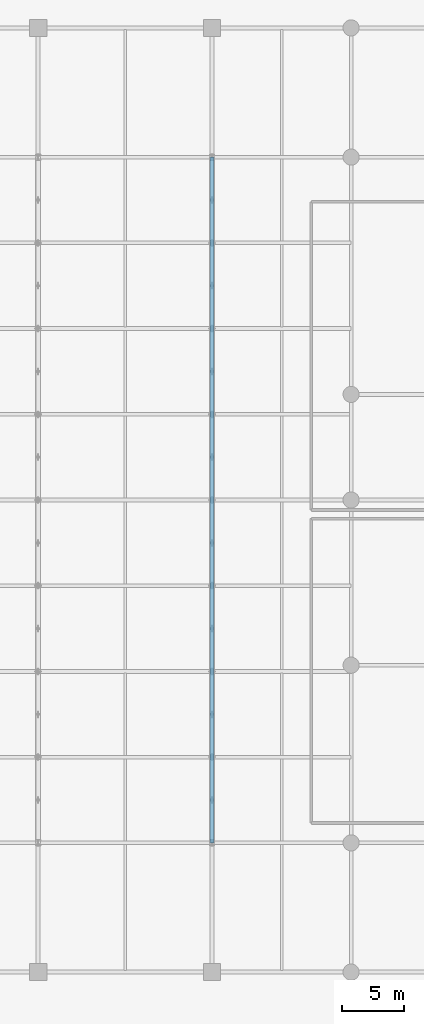
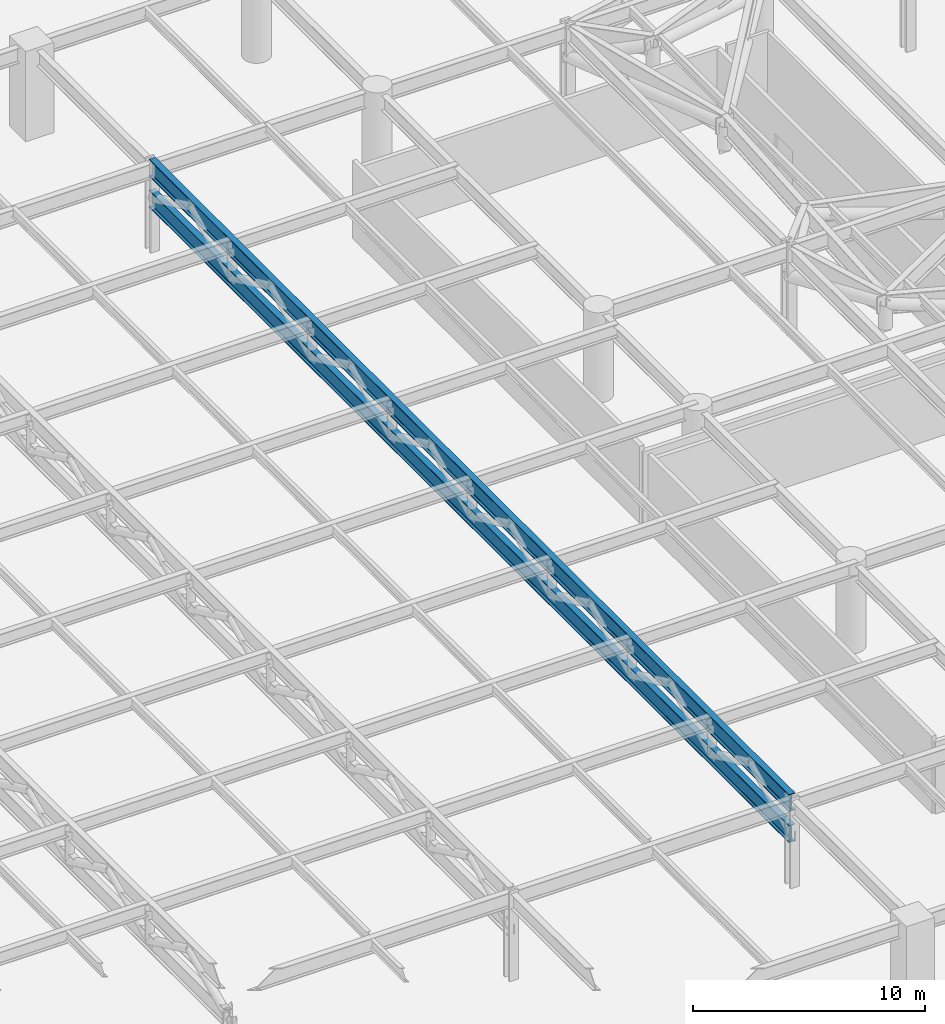
# One storey, part 14 of 40: 2 beams.
"""IFC4 building model written with IfcOpenShell, lengths in metres."""

from ifc_helpers import new_model, si_unit, direction, frame, origin, origin_2d, place, context, subcontext, project, spatial, i_section, extrude, material, material_profile, profile_set, type_object, element, save


model = new_model("IFC4")

# Units and contexts
model_context = context("Model", 3, precision=1e-05, world=origin(), true_north=direction((0.0, 1.0)))
body_context = subcontext(model_context, "Body", "Model", "MODEL_VIEW")
ifc_project = project(units=[si_unit("LENGTHUNIT", "METRE"), si_unit("AREAUNIT", "SQUARE_METRE"), si_unit("VOLUMEUNIT", "CUBIC_METRE"), si_unit("PLANEANGLEUNIT", "RADIAN"), si_unit("MASSUNIT", "GRAM", prefix="KILO")], contexts=[model_context])

# Site, building, storey
site_placement = place(None, origin())
site = spatial("IfcSite", under=ifc_project, at=site_placement, CompositionType="ELEMENT")
building_placement = place(site_placement, origin())
building = spatial("IfcBuilding", under=site, at=building_placement, Name="Narakoshi Arena Tower", CompositionType="ELEMENT")
storey_placement = place(building_placement, frame((0.0, 0.0, 21.60009765625)))
storey = spatial("IfcBuildingStorey", under=building, at=storey_placement, Name="L05", CompositionType="ELEMENT", Elevation=21.60009765625)

# Beams
ifc_material = material(Name="Structural steel S460ML", Category="steel")
ifc_material_profile = material_profile(ifc_material, i_section(OverallWidth=0.302001953125, OverallDepth=0.909912109375, WebThickness=0.02099609375, FlangeThickness=0.0400390625, FilletRadius=0.030029296875, at=origin_2d()), Name="HE900M")
ifc_profile_set = profile_set([ifc_material_profile], Name="Structural steel S460ML")
beam_type = type_object("IfcBeamType", Name="BM-ARENA-900", PredefinedType="BEAM", material=ifc_profile_set)
for number, where, z_axis, x_axis, name in (
    (1, (40.0, 20.39990234375, 4.324951171875), (0.0, 1.0, 0.0), (-1.0, 0.0, 0.0), "L05 Arena 54m Roof Truss 3 Continuous Top Chord"),
    (2, (40.0, 20.39990234375, 2.699951171875), (0.0, 1.0, 0.0), (-1.0, 0.0, 0.0), "L05 Arena 54m Roof Truss 3 Continuous Bottom Chord"),
):
    element("IfcBeam", number, at=place(storey_placement, frame(where, z_axis=z_axis, x_axis=x_axis)), inside=storey, type_object=beam_type, Name=name, PredefinedType="BEAM", context=body_context, shape_type="SweptSolid", body=[
        extrude(i_section(OverallWidth=0.302001953125, OverallDepth=0.909912109375, WebThickness=0.02099609375, FlangeThickness=0.0400390625, FilletRadius=0.030029296875, at=origin_2d()), origin(), (0.0, 0.0, 1.0), 55.2001953125),
    ])

save(model, "model.ifc")
